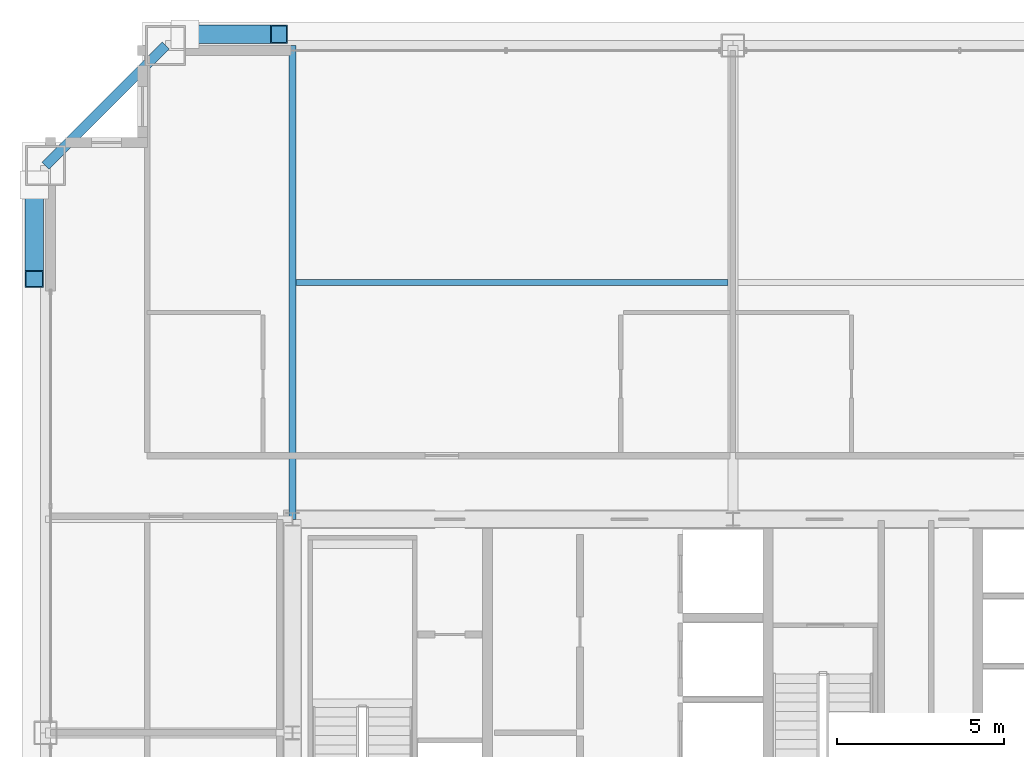
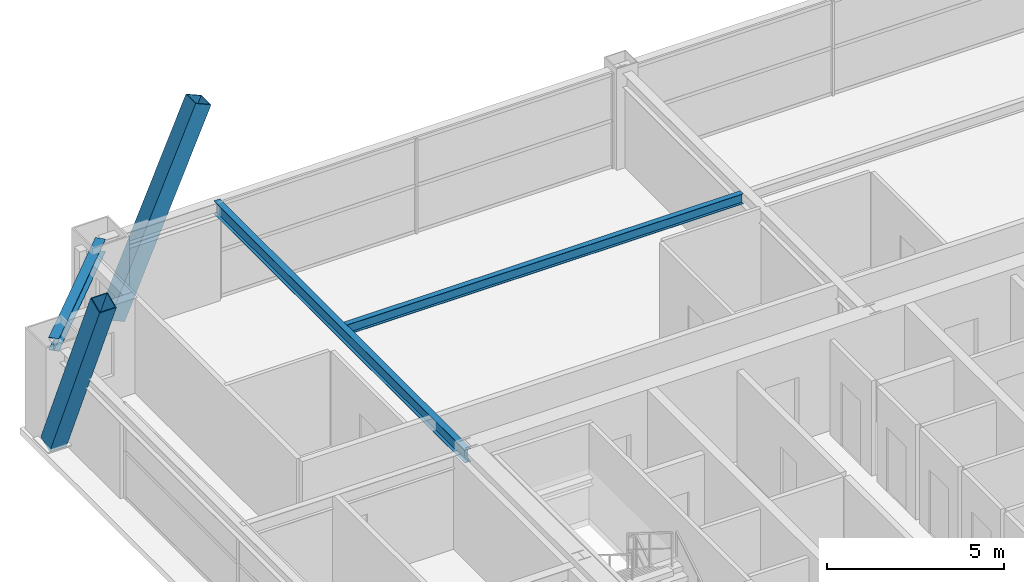
# One storey, part 22 of 35: 3 beams, 2 members.
"""IFC4 building model written with IfcOpenShell, lengths in metres."""

from ifc_helpers import new_model, si_unit, direction, frame, origin, origin_2d, place, context, subcontext, project, spatial, hollow_rectangle, i_section, extrude, source, transform, mapped, material, material_profile, profile_set, type_object, element, save


model = new_model("IFC4")

# Units and contexts
model_context = context("Model", 3, precision=1e-05, world=origin(), true_north=direction((0.0, 1.0)))
body_context = subcontext(model_context, "Body", "Model", "MODEL_VIEW")
ifc_project = project(units=[si_unit("LENGTHUNIT", "METRE"), si_unit("AREAUNIT", "SQUARE_METRE"), si_unit("VOLUMEUNIT", "CUBIC_METRE"), si_unit("PLANEANGLEUNIT", "RADIAN"), si_unit("MASSUNIT", "GRAM", prefix="KILO"), si_unit("THERMODYNAMICTEMPERATUREUNIT", "KELVIN"), si_unit("POWERUNIT", "WATT")], contexts=[model_context])

# Site, building, storey
site_placement = place(None, origin())
site = spatial("IfcSite", under=ifc_project, at=site_placement, CompositionType="ELEMENT")
building_placement = place(site_placement, origin())
building = spatial("IfcBuilding", under=site, at=building_placement, Name="Yuzanri Waterfront Tower", CompositionType="ELEMENT")
storey_placement = place(building_placement, frame((0.0, 0.0, 227.60009765625)))
storey = spatial("IfcBuildingStorey", under=building, at=storey_placement, Name="L60", CompositionType="ELEMENT", Elevation=227.60009765625)

# Beams
ifc_material_1 = material(Name="Steel Q355B", Category="steel")
ifc_material_profile_1 = material_profile(ifc_material_1, i_section(OverallWidth=0.300048828125, OverallDepth=0.43994140625, WebThickness=0.010986328125, FlangeThickness=0.01806640625, at=origin_2d()), Name="HM 440x300x11x18")
ifc_profile_set_1 = profile_set([ifc_material_profile_1], Name="Steel Q355B")
beam_type_1 = type_object("IfcBeamType", Name="Perimeter Spandrel Q355B HM 440x300", PredefinedType="SPANDREL", material=ifc_profile_set_1)
shared_shape_1 = source(origin(), body_context, "Body", "SweptSolid", [
    extrude(i_section(OverallWidth=0.300048828125, OverallDepth=0.43994140625, WebThickness=0.010986328125, FlangeThickness=0.01806640625, at=origin_2d()), origin(), (0.0, 0.0, 1.0), 5.091064453125),
])
beam_1_placement = place(storey_placement, frame((20.0, 46.39990234375, 3.059814453125), z_axis=(-0.707130757816, -0.707082803744, 0.0), x_axis=(0.707082803744, -0.707130757816, 0.0)))
element("IfcBeam", 1, at=beam_1_placement, inside=storey, type_object=beam_type_1, Name="L60 Perimeter Spandrel N1-W3", PredefinedType="SPANDREL", context=body_context, shape_type="MappedRepresentation", body=[
    mapped(shared_shape_1, transform((0.0, 0.0, 0.0), scale=1.0)),
])
ifc_material_2 = material(Name="Steel Q355B", Category="steel")
ifc_material_profile_2 = material_profile(ifc_material_2, i_section(OverallWidth=0.199951171875, OverallDepth=0.449951171875, WebThickness=0.009033203125, FlangeThickness=0.013916015625, at=origin_2d()), Name="HN 450x200x9x14")
ifc_profile_set_2 = profile_set([ifc_material_profile_2], Name="Steel Q355B")
beam_type_2 = type_object("IfcBeamType", Name="Secondary Floor Beam Q355B HN 450x200", PredefinedType="BEAM", material=ifc_profile_set_2)
shared_shape_2 = source(origin(), body_context, "Body", "SweptSolid", [
    extrude(i_section(OverallWidth=0.199951171875, OverallDepth=0.449951171875, WebThickness=0.009033203125, FlangeThickness=0.013916015625, at=origin_2d()), origin(), (0.0, 0.0, 1.0), 14.199951171875),
])
beam_2_placement = place(storey_placement, frame((23.800048828125, 32.199951171875, 3.054931640625), z_axis=(0.0, 1.0, 0.0), x_axis=(-1.0, 0.0, 0.0)))
element("IfcBeam", 2, at=beam_2_placement, inside=storey, type_object=beam_type_2, Name="L60 North-West Core Line Beam", PredefinedType="BEAM", context=body_context, shape_type="MappedRepresentation", body=[
    mapped(shared_shape_2, transform((0.0, 0.0, 0.0), scale=1.0)),
])
ifc_material_3 = material(Name="Steel Q355B", Category="steel")
ifc_material_profile_3 = material_profile(ifc_material_3, i_section(OverallWidth=0.175048828125, OverallDepth=0.35009765625, WebThickness=0.007080078125, FlangeThickness=0.010986328125, at=origin_2d()), Name="HN 350x175x7x11")
ifc_profile_set_3 = profile_set([ifc_material_profile_3], Name="Steel Q355B")
beam_type_3 = type_object("IfcBeamType", Name="Floor Joist Q355B HN 350x175", PredefinedType="JOIST", material=ifc_profile_set_3)
shared_shape_3 = source(origin(), body_context, "Body", "SweptSolid", [
    extrude(i_section(OverallWidth=0.175048828125, OverallDepth=0.35009765625, WebThickness=0.007080078125, FlangeThickness=0.010986328125, at=origin_2d()), origin(), (0.0, 0.0, 1.0), 12.9501953125),
])
beam_3_placement = place(storey_placement, frame((23.89990234375, 39.300048828125, 3.10498046875), z_axis=(1.0, 0.0, 0.0), x_axis=(0.0, 1.0, 0.0)))
element("IfcBeam", 3, at=beam_3_placement, inside=storey, type_object=beam_type_3, Name="L60 North Bay Joist W", PredefinedType="JOIST", context=body_context, shape_type="MappedRepresentation", body=[
    mapped(shared_shape_3, transform((0.0, 0.0, 0.0), scale=1.0)),
])

# Members
ifc_material_4 = material(Name="Steel Q390GJC", Category="steel")
ifc_material_profile_4 = material_profile(ifc_material_4, hollow_rectangle(XDim=0.550048828125, YDim=0.550048828125, WallThickness=0.02490234375, at=origin_2d()), Name="RHS 550x550x25")
ifc_profile_set_4 = profile_set([ifc_material_profile_4], Name="Steel Q390GJC")
member_type = type_object("IfcMemberType", Name="Mega Brace Mid Q390GJC RHS 550x550x25", PredefinedType="BRACE", material=ifc_profile_set_4)
shared_shape_4 = source(origin(), body_context, "Body", "SweptSolid", [
    extrude(hollow_rectangle(XDim=0.550048828125, YDim=0.550048828125, WallThickness=0.02490234375, at=origin_2d()), origin(), (0.0, 0.0, 1.0), 7.085205078125),
])
member_1_placement = place(storey_placement, frame((20.580078125, 46.739990234375, 0.179931640625), z_axis=(0.397982599681, 0.0, 0.917392963975), x_axis=(0.0, 1.0, 0.0)))
element("IfcMember", 4, at=member_1_placement, inside=storey, type_object=member_type, Name="L60-L61 Perimeter Mega-Brace N-L", PredefinedType="BRACE", context=body_context, shape_type="MappedRepresentation", body=[
    mapped(shared_shape_4, transform((0.0, 0.0, 0.0), scale=1.0)),
])
shared_shape_5 = source(origin(), body_context, "Body", "SweptSolid", [
    extrude(hollow_rectangle(XDim=0.550048828125, YDim=0.550048828125, WallThickness=0.02490234375, at=origin_2d()), origin(), (0.0, 0.0, 1.0), 7.08544921875),
])
member_2_placement = place(storey_placement, frame((16.06005859375, 42.219970703125, 0.179931640625), z_axis=(0.0, -0.398011598745, 0.917380383082), x_axis=(1.0, 0.0, 0.0)))
element("IfcMember", 5, at=member_2_placement, inside=storey, type_object=member_type, Name="L60-L61 Perimeter Mega-Brace W-R", PredefinedType="BRACE", context=body_context, shape_type="MappedRepresentation", body=[
    mapped(shared_shape_5, transform((0.0, 0.0, 0.0), scale=1.0)),
])

save(model, "model.ifc")
